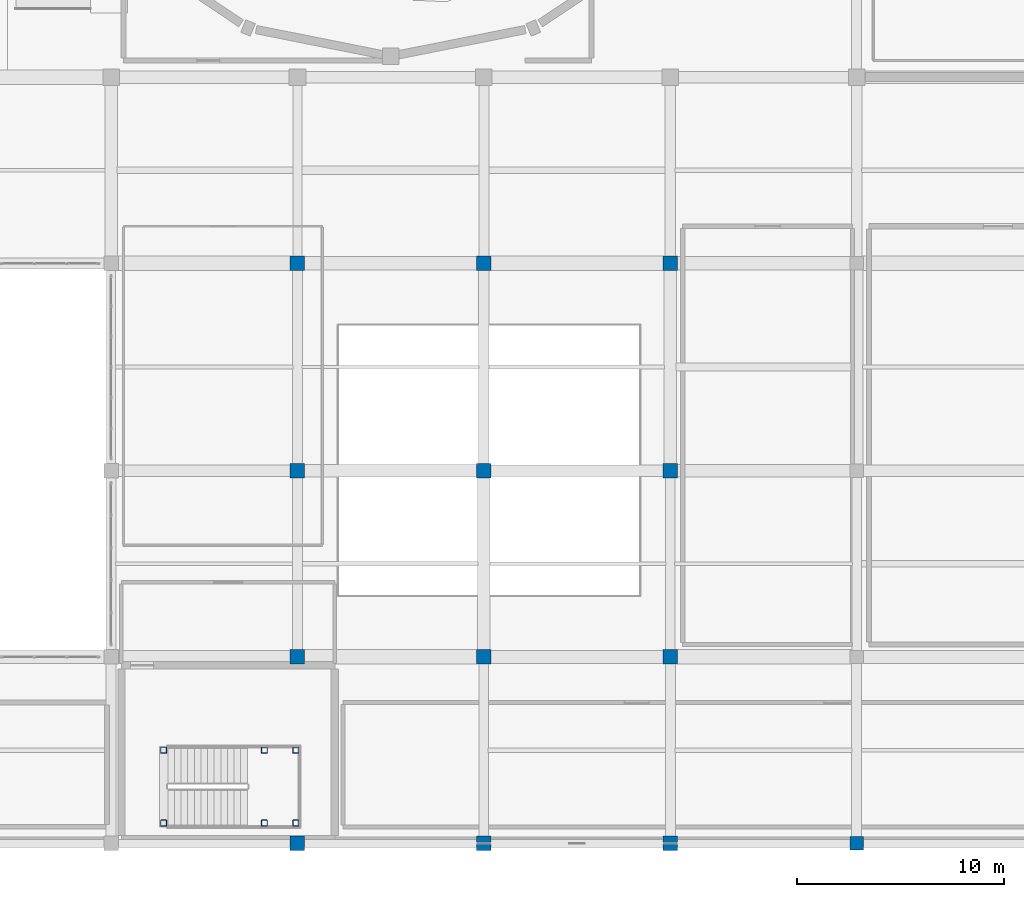
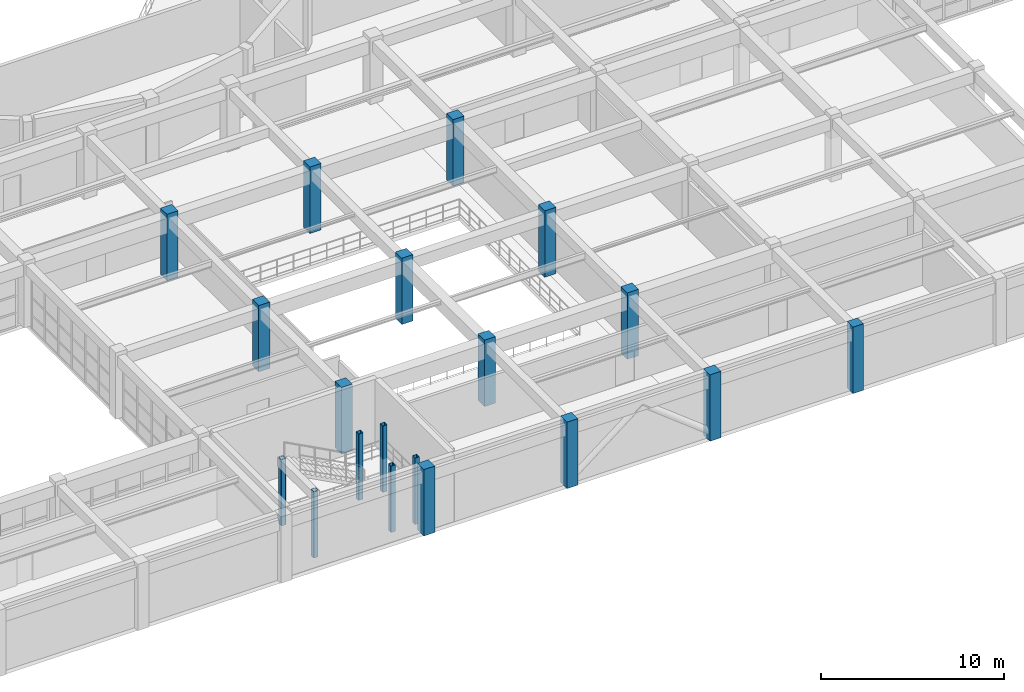
# One storey, part 4 of 133: 19 columns.
"""IFC4 building model written with IfcOpenShell, lengths in metres."""

import ifcopenshell
import ifcopenshell.guid

model = None  # the IFC model being written
_history = None  # IfcOwnerHistory: only IFC2X3 demands one
_inside = {}  # id of a spatial element -> (the spatial element, [elements in it])
_under = {}  # id of a project, library or spatial element -> (it, [spatial elements below it])
_declared = {}  # id of a project -> (the project, [libraries it declares])
_typed = {}  # id of a type object -> (the type object, [elements of that type])
_made_of = {}  # id of a material, layer set ... -> (it, [elements and type objects made of it])


def new_model(schema):
    """Start an empty IFC model of exactly this schema.

    Asked for "IFC4X3", IfcOpenShell would pick the latest addendum, in which some entities
    have other attributes; the version numbers below select the first issue.
    IFC2X3 requires an IfcOwnerHistory on every rooted entity: one is made here for all.
    """
    global model, _history
    if schema == "IFC4X3":
        model = ifcopenshell.file(schema_version=(4, 3, 0, 0))
    else:
        model = ifcopenshell.file(schema=schema)
    _inside.clear()
    _under.clear()
    _declared.clear()
    _typed.clear()
    _made_of.clear()
    _history = None
    if model.schema == "IFC2X3":
        org = make("IfcOrganization", Name="unknown")
        user = make(
            "IfcPersonAndOrganization",
            ThePerson=make("IfcPerson", FamilyName="unknown"),
            TheOrganization=org,
        )
        app = make(
            "IfcApplication",
            ApplicationDeveloper=org,
            Version="unknown",
            ApplicationFullName="unknown",
            ApplicationIdentifier="unknown",
        )
        _history = make(
            "IfcOwnerHistory",
            OwningUser=user,
            OwningApplication=app,
            ChangeAction="ADDED",
            CreationDate=0,
        )
    return model


def make(cls, **values):
    """One entity of the class cls with the attributes given. An attribute that is None is left unset."""
    return model.create_entity(
        cls, **{name: value for name, value in values.items() if value is not None}
    )


def rooted(cls, **values):
    """An entity with a GlobalId (a new one), such as an element, a storey or a relation."""
    return make(cls, GlobalId=ifcopenshell.guid.new(), OwnerHistory=_history, **values)


def si_unit(unit_type, name, prefix=None):
    """IfcSIUnit, for example si_unit("LENGTHUNIT", "METRE", prefix="MILLI")."""
    return make("IfcSIUnit", UnitType=unit_type, Prefix=prefix, Name=name)


def assignment(units):
    """IfcUnitAssignment: the units of a project."""
    return None if units is None else make("IfcUnitAssignment", Units=units)


def point(xyz):
    """IfcCartesianPoint."""
    return None if xyz is None else make("IfcCartesianPoint", Coordinates=xyz)


def direction(xyz):
    """IfcDirection."""
    return None if xyz is None else make("IfcDirection", DirectionRatios=xyz)


def frame(location, z_axis=None, x_axis=None):
    """IfcAxis2Placement3D, a coordinate frame: its origin and axes. An axis left out is left unset."""
    return make(
        "IfcAxis2Placement3D",
        Location=point(location),
        Axis=direction(z_axis),
        RefDirection=direction(x_axis),
    )


def frame_2d(location, x_axis=None):
    """IfcAxis2Placement2D, a coordinate frame in the plane: its origin and x axis."""
    return make(
        "IfcAxis2Placement2D", Location=point(location), RefDirection=direction(x_axis)
    )


def origin():
    """The frame at (0, 0, 0) with its axes left unset."""
    return frame((0.0, 0.0, 0.0))


def origin_2d():
    """The frame at (0, 0) in the plane with its x axis left unset."""
    return frame_2d((0.0, 0.0))


def place(relative_to, where):
    """IfcLocalPlacement: puts the frame where relative to a parent placement (None: the world)."""
    return make(
        "IfcLocalPlacement", PlacementRelTo=relative_to, RelativePlacement=where
    )


def context(
    kind, dimensions, precision=None, world=None, true_north=None, identifier=None
):
    """IfcGeometricRepresentationContext, for example the 3D "Model" context."""
    return make(
        "IfcGeometricRepresentationContext",
        ContextIdentifier=identifier,
        ContextType=kind,
        CoordinateSpaceDimension=dimensions,
        Precision=precision,
        WorldCoordinateSystem=world,
        TrueNorth=true_north,
    )


def subcontext(parent, identifier, kind, view, scale=None):
    """IfcGeometricRepresentationSubContext, for example "Body" below "Model"."""
    return make(
        "IfcGeometricRepresentationSubContext",
        ContextIdentifier=identifier,
        ContextType=kind,
        ParentContext=parent,
        TargetScale=scale,
        TargetView=view,
    )


def project(units=None, contexts=None):
    """IfcProject with its units and contexts."""
    return rooted(
        "IfcProject",
        Name="project",
        RepresentationContexts=contexts,
        UnitsInContext=assignment(units),
    )


def spatial(cls, under=None, at=None, **own):
    """A site, building, storey or space (cls), placed at a placement, below another one or the project."""
    s = rooted(cls, ObjectPlacement=at, **own)
    if under is not None:
        _under.setdefault(under.id(), (under, []))[1].append(s)
    return s


def profile(cls, at=None, kind="AREA", **sizes):
    """A parametric profile (cls). Its sizes go by their IFC names, for example OverallWidth=200.0."""
    return make(cls, ProfileType=kind, Position=at, **sizes)


def rectangle(**sizes):
    """IfcRectangleProfileDef."""
    return profile("IfcRectangleProfileDef", **sizes)


def hollow_rectangle(**sizes):
    """IfcRectangleHollowProfileDef."""
    return profile("IfcRectangleHollowProfileDef", **sizes)


def extrude(swept, where, along, depth):
    """IfcExtrudedAreaSolid: the profile swept, set in the frame where, extruded along a direction by depth."""
    return make(
        "IfcExtrudedAreaSolid",
        SweptArea=swept,
        Position=where,
        ExtrudedDirection=direction(along),
        Depth=depth,
    )


def shape(context_of_items, identifier, shape_type, items):
    """IfcShapeRepresentation: the items that make up one representation, for example the "Body"."""
    return make(
        "IfcShapeRepresentation",
        ContextOfItems=context_of_items,
        RepresentationIdentifier=identifier,
        RepresentationType=shape_type,
        Items=items,
    )


def material(Name=None, Category=None):
    """IfcMaterial."""
    return make("IfcMaterial", Name=Name, Category=Category)


def material_profile(
    of_material, cross_section, Name=None, Category=None, Priority=None
):
    """IfcMaterialProfile: a cross section and its material."""
    return make(
        "IfcMaterialProfile",
        Name=Name,
        Material=of_material,
        Profile=cross_section,
        Priority=Priority,
        Category=Category,
    )


def profile_set(profiles, Name=None, composite=None):
    """IfcMaterialProfileSet."""
    return make(
        "IfcMaterialProfileSet",
        Name=Name,
        MaterialProfiles=profiles,
        CompositeProfile=composite,
    )


def made_of(thing, what):
    """Note that an element or type object is made of a material, layer set ...; save() writes the relation."""
    if what is not None:
        _made_of.setdefault(what.id(), (what, []))[1].append(thing)
    return thing


def type_object(cls, material=None, **own):
    """A type object (cls), such as IfcWallType, which elements share."""
    return made_of(rooted(cls, **own), material)


def element(
    cls,
    number,
    at=None,
    inside=None,
    cuts=None,
    type_object=None,
    material=None,
    context=None,
    identifier="Body",
    shape_type=None,
    held_by="IfcProductDefinitionShape",
    body=None,
    shapes=None,
    **own,
):
    """One element of the class cls, such as IfcWall. Its Tag is "e" and its number.

    at: its placement. inside: the storey or other place that contains it. cuts: it is an
    opening in that element (IfcRelVoidsElement). A single representation is given by context,
    identifier, shape_type and body (its items); several are given by shapes. held_by: the class
    of the entity that holds the representations. save() writes the other relations.
    """
    e = rooted(cls, Tag="e%d" % number, ObjectPlacement=at, **own)
    if body is not None:
        shapes = [shape(context, identifier, shape_type, body)]
    if shapes is not None:
        e.Representation = make(held_by, Representations=shapes)
    if inside is not None:
        _inside.setdefault(inside.id(), (inside, []))[1].append(e)
    if cuts is not None:
        rooted(
            "IfcRelVoidsElement", RelatingBuildingElement=cuts, RelatedOpeningElement=e
        )
    if type_object is not None:
        _typed.setdefault(type_object.id(), (type_object, []))[1].append(e)
    return made_of(e, material)


def aggregate(whole, parts):
    """IfcRelAggregates: a whole, such as a stair, and the parts it consists of."""
    return rooted("IfcRelAggregates", RelatingObject=whole, RelatedObjects=parts)


def save(model, path):
    """Write the relations noted so far, then the file.

    IfcRelAggregates (storeys below a building ...), IfcRelContainedInSpatialStructure (elements
    in a storey), IfcRelDefinesByType, IfcRelAssociatesMaterial and IfcRelDeclares: one each for
    every whole, place, type object, material and project.
    """
    for whole, parts in _under.values():
        aggregate(whole, parts)
    for where, things in _inside.values():
        rooted(
            "IfcRelContainedInSpatialStructure",
            RelatedElements=things,
            RelatingStructure=where,
        )
    for kind, things in _typed.values():
        rooted("IfcRelDefinesByType", RelatedObjects=things, RelatingType=kind)
    for what, things in _made_of.values():
        rooted("IfcRelAssociatesMaterial", RelatedObjects=things, RelatingMaterial=what)
    for by, libraries in _declared.values():
        rooted("IfcRelDeclares", RelatingContext=by, RelatedDefinitions=libraries)
    model.write(path)


model = new_model("IFC4")

# Units and contexts
model_context = context("Model", 3, precision=1e-05, world=origin(), true_north=direction((0.0, 1.0)))
body_context = subcontext(model_context, "Body", "Model", "MODEL_VIEW")
ifc_project = project(units=[si_unit("LENGTHUNIT", "METRE"), si_unit("AREAUNIT", "SQUARE_METRE"), si_unit("VOLUMEUNIT", "CUBIC_METRE"), si_unit("PLANEANGLEUNIT", "RADIAN"), si_unit("MASSUNIT", "GRAM", prefix="KILO")], contexts=[model_context])

# Site, building, storey
site_placement = place(None, origin())
site = spatial("IfcSite", under=ifc_project, at=site_placement, CompositionType="ELEMENT")
building_placement = place(site_placement, origin())
building = spatial("IfcBuilding", under=site, at=building_placement, Name="Miravela Opera House", CompositionType="ELEMENT")
storey_placement = place(building_placement, frame((0.0, 0.0, 5.10009765625)))
storey = spatial("IfcBuildingStorey", under=building, at=storey_placement, Name="L01", CompositionType="ELEMENT", Elevation=5.10009765625)

# Columns
ifc_material_1 = material(Name="Hollow structural steel ASTM A500 Gr. C", Category="steel")
ifc_material_profile_1 = material_profile(ifc_material_1, hollow_rectangle(XDim=0.300048828125, YDim=0.300048828125, WallThickness=0.01611328125, InnerFilletRadius=0.01611328125, OuterFilletRadius=0.031982421875, at=origin_2d()), Name="HSS300X300X16")
ifc_profile_set_1 = profile_set([ifc_material_profile_1])
column_type_1 = type_object("IfcColumnType", Name="STR-COL-HSS300", PredefinedType="COLUMN", material=ifc_profile_set_1)
for number, where, z_axis, x_axis, name in (
    (1, (65.5400390625, 0.97998046875, 0.0), (0.0, 0.0, 1.0), (1.0, 0.0, 0.0), "Stair K6 Landing Support Column 1 (L01)"),
    (2, (65.5400390625, 4.5, 0.0), (0.0, 0.0, 1.0), (1.0, 0.0, 0.0), "Stair K6 Landing Support Column 2 (L01)"),
    (3, (70.39990234375, 0.97998046875, 0.0), (0.0, 0.0, 1.0), (1.0, 0.0, 0.0), "Stair K6 Landing Support Column 3 (L01)"),
    (4, (70.39990234375, 4.5, 0.0), (0.0, 0.0, 1.0), (1.0, 0.0, 0.0), "Stair K6 Landing Support Column 4 (L01)"),
    (5, (71.919921875, 0.97998046875, 0.0), (0.0, 0.0, 1.0), (1.0, 0.0, 0.0), "Stair K6 Landing Support Column 5 (L01)"),
    (6, (71.919921875, 4.5, 0.0), (0.0, 0.0, 1.0), (1.0, 0.0, 0.0), "Stair K6 Landing Support Column 6 (L01)"),
):
    element("IfcColumn", number, at=place(storey_placement, frame(where, z_axis=z_axis, x_axis=x_axis)), inside=storey, type_object=column_type_1, Name=name, PredefinedType="COLUMN", context=body_context, shape_type="SweptSolid", body=[
        extrude(hollow_rectangle(XDim=0.300048828125, YDim=0.300048828125, WallThickness=0.01611328125, InnerFilletRadius=0.01611328125, OuterFilletRadius=0.031982421875, at=origin_2d()), origin(), (0.0, 0.0, 1.0), 4.419921875),
    ])
ifc_material_2 = material(Name="Concrete C35/45", Category="concrete")
ifc_material_profile_2 = material_profile(ifc_material_2, rectangle(XDim=0.64990234375, YDim=0.64990234375, at=origin_2d()), Name="RC-COL-650X650")
ifc_profile_set_2 = profile_set([ifc_material_profile_2])
column_type_2 = type_object("IfcColumnType", Name="STR-COL-RC650", PredefinedType="COLUMN", material=ifc_profile_set_2)
column_placement = place(storey_placement, frame((99.0, 0.0, 0.0), z_axis=(0.0, 0.0, 1.0), x_axis=(1.0, 0.0, 0.0)))
element("IfcColumn", 7, at=column_placement, inside=storey, type_object=column_type_2, Name="Column C-12A (L01)", PredefinedType="COLUMN", context=body_context, shape_type="SweptSolid", body=[
    extrude(rectangle(XDim=0.64990234375, YDim=0.64990234375, at=origin_2d()), origin(), (0.0, 0.0, 1.0), 4.419921875),
])
ifc_material_profile_3 = material_profile(ifc_material_2, rectangle(XDim=0.699951171875, YDim=0.699951171875, at=origin_2d()), Name="RC-COL-700X700")
ifc_profile_set_3 = profile_set([ifc_material_profile_3])
column_type_3 = type_object("IfcColumnType", Name="STR-COL-RC700", PredefinedType="COLUMN", material=ifc_profile_set_3)
for number, where, z_axis, x_axis, name in (
    (8, (81.0, 0.0, 0.0), (0.0, 0.0, 1.0), (1.0, 0.0, 0.0), "Column C-10A (L01)"),
    (9, (81.0, 9.0, 0.0), (0.0, 0.0, 1.0), (1.0, 0.0, 0.0), "Column C-10B (L01)"),
    (10, (81.0, 18.0, 0.0), (0.0, 0.0, 1.0), (1.0, 0.0, 0.0), "Column C-10C (L01)"),
    (11, (81.0, 28.0, 0.0), (0.0, 0.0, 1.0), (1.0, 0.0, 0.0), "Column C-10D (L01)"),
    (12, (90.0, 0.0, 0.0), (0.0, 0.0, 1.0), (1.0, 0.0, 0.0), "Column C-11A (L01)"),
    (13, (90.0, 9.0, 0.0), (0.0, 0.0, 1.0), (1.0, 0.0, 0.0), "Column C-11B (L01)"),
    (14, (90.0, 18.0, 0.0), (0.0, 0.0, 1.0), (1.0, 0.0, 0.0), "Column C-11C (L01)"),
    (15, (90.0, 28.0, 0.0), (0.0, 0.0, 1.0), (1.0, 0.0, 0.0), "Column C-11D (L01)"),
    (16, (72.0, 0.0, 0.0), (0.0, 0.0, 1.0), (1.0, 0.0, 0.0), "Column C-9A (L01)"),
    (17, (72.0, 9.0, 0.0), (0.0, 0.0, 1.0), (1.0, 0.0, 0.0), "Column C-9B (L01)"),
    (18, (72.0, 18.0, 0.0), (0.0, 0.0, 1.0), (1.0, 0.0, 0.0), "Column C-9C (L01)"),
    (19, (72.0, 28.0, 0.0), (0.0, 0.0, 1.0), (1.0, 0.0, 0.0), "Column C-9D (L01)"),
):
    element("IfcColumn", number, at=place(storey_placement, frame(where, z_axis=z_axis, x_axis=x_axis)), inside=storey, type_object=column_type_3, Name=name, PredefinedType="COLUMN", context=body_context, shape_type="SweptSolid", body=[
        extrude(rectangle(XDim=0.699951171875, YDim=0.699951171875, at=origin_2d()), origin(), (0.0, 0.0, 1.0), 4.419921875),
    ])

save(model, "model.ifc")
